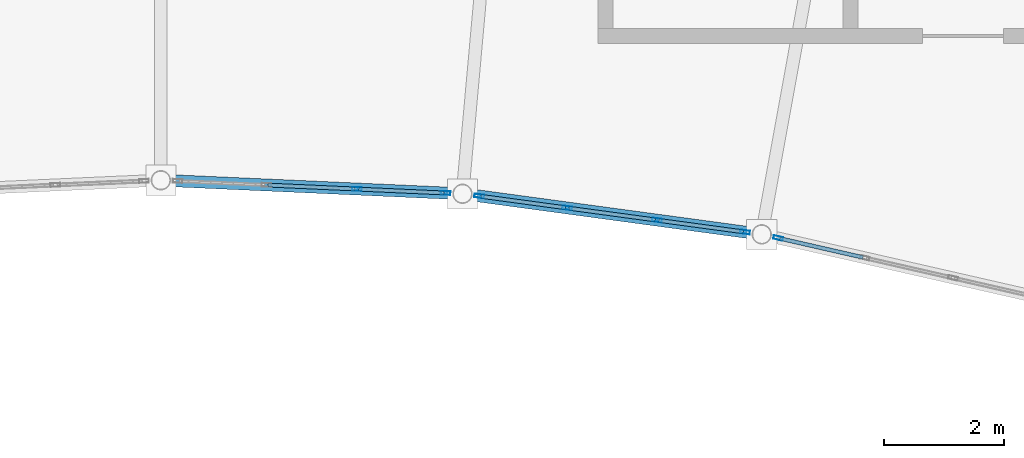
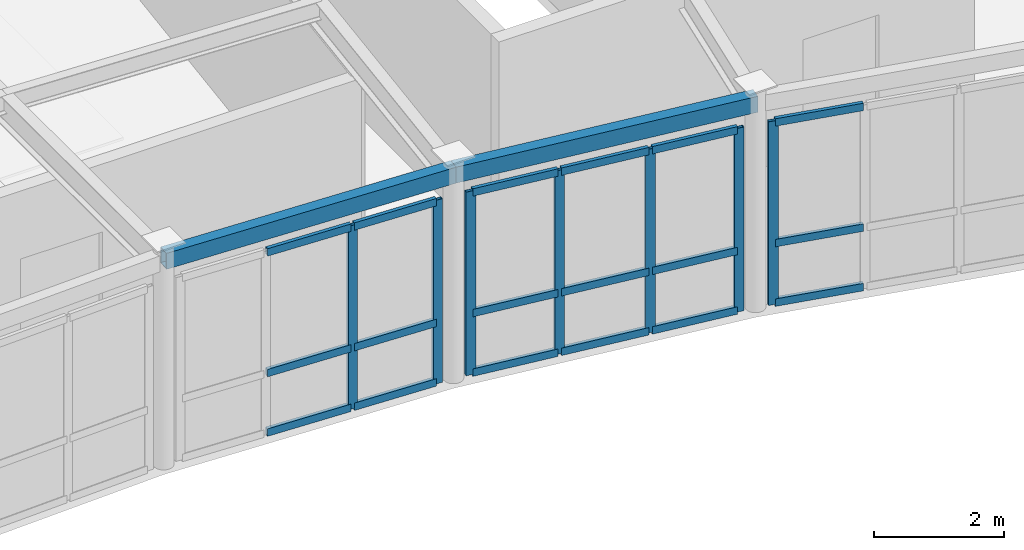
# One storey, part 24 of 54: 25 members, 2 beams, 3 elements without a shape of their own.
"""IFC4 building model written with IfcOpenShell, lengths in metres."""

import ifcopenshell
import ifcopenshell.guid

model = None  # the IFC model being written
_history = None  # IfcOwnerHistory: only IFC2X3 demands one
_inside = {}  # id of a spatial element -> (the spatial element, [elements in it])
_under = {}  # id of a project, library or spatial element -> (it, [spatial elements below it])
_declared = {}  # id of a project -> (the project, [libraries it declares])
_typed = {}  # id of a type object -> (the type object, [elements of that type])
_made_of = {}  # id of a material, layer set ... -> (it, [elements and type objects made of it])


def new_model(schema):
    """Start an empty IFC model of exactly this schema.

    Asked for "IFC4X3", IfcOpenShell would pick the latest addendum, in which some entities
    have other attributes; the version numbers below select the first issue.
    IFC2X3 requires an IfcOwnerHistory on every rooted entity: one is made here for all.
    """
    global model, _history
    if schema == "IFC4X3":
        model = ifcopenshell.file(schema_version=(4, 3, 0, 0))
    else:
        model = ifcopenshell.file(schema=schema)
    _inside.clear()
    _under.clear()
    _declared.clear()
    _typed.clear()
    _made_of.clear()
    _history = None
    if model.schema == "IFC2X3":
        org = make("IfcOrganization", Name="unknown")
        user = make(
            "IfcPersonAndOrganization",
            ThePerson=make("IfcPerson", FamilyName="unknown"),
            TheOrganization=org,
        )
        app = make(
            "IfcApplication",
            ApplicationDeveloper=org,
            Version="unknown",
            ApplicationFullName="unknown",
            ApplicationIdentifier="unknown",
        )
        _history = make(
            "IfcOwnerHistory",
            OwningUser=user,
            OwningApplication=app,
            ChangeAction="ADDED",
            CreationDate=0,
        )
    return model


def make(cls, **values):
    """One entity of the class cls with the attributes given. An attribute that is None is left unset."""
    return model.create_entity(
        cls, **{name: value for name, value in values.items() if value is not None}
    )


def rooted(cls, **values):
    """An entity with a GlobalId (a new one), such as an element, a storey or a relation."""
    return make(cls, GlobalId=ifcopenshell.guid.new(), OwnerHistory=_history, **values)


def si_unit(unit_type, name, prefix=None):
    """IfcSIUnit, for example si_unit("LENGTHUNIT", "METRE", prefix="MILLI")."""
    return make("IfcSIUnit", UnitType=unit_type, Prefix=prefix, Name=name)


def assignment(units):
    """IfcUnitAssignment: the units of a project."""
    return None if units is None else make("IfcUnitAssignment", Units=units)


def point(xyz):
    """IfcCartesianPoint."""
    return None if xyz is None else make("IfcCartesianPoint", Coordinates=xyz)


def direction(xyz):
    """IfcDirection."""
    return None if xyz is None else make("IfcDirection", DirectionRatios=xyz)


def frame(location, z_axis=None, x_axis=None):
    """IfcAxis2Placement3D, a coordinate frame: its origin and axes. An axis left out is left unset."""
    return make(
        "IfcAxis2Placement3D",
        Location=point(location),
        Axis=direction(z_axis),
        RefDirection=direction(x_axis),
    )


def frame_2d(location, x_axis=None):
    """IfcAxis2Placement2D, a coordinate frame in the plane: its origin and x axis."""
    return make(
        "IfcAxis2Placement2D", Location=point(location), RefDirection=direction(x_axis)
    )


def origin():
    """The frame at (0, 0, 0) with its axes left unset."""
    return frame((0.0, 0.0, 0.0))


def origin_2d():
    """The frame at (0, 0) in the plane with its x axis left unset."""
    return frame_2d((0.0, 0.0))


def place(relative_to, where):
    """IfcLocalPlacement: puts the frame where relative to a parent placement (None: the world)."""
    return make(
        "IfcLocalPlacement", PlacementRelTo=relative_to, RelativePlacement=where
    )


def context(
    kind, dimensions, precision=None, world=None, true_north=None, identifier=None
):
    """IfcGeometricRepresentationContext, for example the 3D "Model" context."""
    return make(
        "IfcGeometricRepresentationContext",
        ContextIdentifier=identifier,
        ContextType=kind,
        CoordinateSpaceDimension=dimensions,
        Precision=precision,
        WorldCoordinateSystem=world,
        TrueNorth=true_north,
    )


def subcontext(parent, identifier, kind, view, scale=None):
    """IfcGeometricRepresentationSubContext, for example "Body" below "Model"."""
    return make(
        "IfcGeometricRepresentationSubContext",
        ContextIdentifier=identifier,
        ContextType=kind,
        ParentContext=parent,
        TargetScale=scale,
        TargetView=view,
    )


def project(units=None, contexts=None):
    """IfcProject with its units and contexts."""
    return rooted(
        "IfcProject",
        Name="project",
        RepresentationContexts=contexts,
        UnitsInContext=assignment(units),
    )


def spatial(cls, under=None, at=None, **own):
    """A site, building, storey or space (cls), placed at a placement, below another one or the project."""
    s = rooted(cls, ObjectPlacement=at, **own)
    if under is not None:
        _under.setdefault(under.id(), (under, []))[1].append(s)
    return s


def profile(cls, at=None, kind="AREA", **sizes):
    """A parametric profile (cls). Its sizes go by their IFC names, for example OverallWidth=200.0."""
    return make(cls, ProfileType=kind, Position=at, **sizes)


def hollow_rectangle(**sizes):
    """IfcRectangleHollowProfileDef."""
    return profile("IfcRectangleHollowProfileDef", **sizes)


def extrude(swept, where, along, depth):
    """IfcExtrudedAreaSolid: the profile swept, set in the frame where, extruded along a direction by depth."""
    return make(
        "IfcExtrudedAreaSolid",
        SweptArea=swept,
        Position=where,
        ExtrudedDirection=direction(along),
        Depth=depth,
    )


def shape(context_of_items, identifier, shape_type, items):
    """IfcShapeRepresentation: the items that make up one representation, for example the "Body"."""
    return make(
        "IfcShapeRepresentation",
        ContextOfItems=context_of_items,
        RepresentationIdentifier=identifier,
        RepresentationType=shape_type,
        Items=items,
    )


def material(Name=None, Category=None):
    """IfcMaterial."""
    return make("IfcMaterial", Name=Name, Category=Category)


def layer(
    of_material, thickness, ventilated=None, Name=None, Category=None, Priority=None
):
    """IfcMaterialLayer: one layer of a wall or slab, of a material (None: an air gap)."""
    return make(
        "IfcMaterialLayer",
        Material=of_material,
        LayerThickness=thickness,
        IsVentilated=ventilated,
        Name=Name,
        Category=Category,
        Priority=Priority,
    )


def layer_set(layers, Name=None):
    """IfcMaterialLayerSet."""
    return make("IfcMaterialLayerSet", MaterialLayers=layers, LayerSetName=Name)


def material_profile(
    of_material, cross_section, Name=None, Category=None, Priority=None
):
    """IfcMaterialProfile: a cross section and its material."""
    return make(
        "IfcMaterialProfile",
        Name=Name,
        Material=of_material,
        Profile=cross_section,
        Priority=Priority,
        Category=Category,
    )


def profile_set(profiles, Name=None, composite=None):
    """IfcMaterialProfileSet."""
    return make(
        "IfcMaterialProfileSet",
        Name=Name,
        MaterialProfiles=profiles,
        CompositeProfile=composite,
    )


def made_of(thing, what):
    """Note that an element or type object is made of a material, layer set ...; save() writes the relation."""
    if what is not None:
        _made_of.setdefault(what.id(), (what, []))[1].append(thing)
    return thing


def type_object(cls, material=None, **own):
    """A type object (cls), such as IfcWallType, which elements share."""
    return made_of(rooted(cls, **own), material)


def element(
    cls,
    number,
    at=None,
    inside=None,
    cuts=None,
    type_object=None,
    material=None,
    context=None,
    identifier="Body",
    shape_type=None,
    held_by="IfcProductDefinitionShape",
    body=None,
    shapes=None,
    **own,
):
    """One element of the class cls, such as IfcWall. Its Tag is "e" and its number.

    at: its placement. inside: the storey or other place that contains it. cuts: it is an
    opening in that element (IfcRelVoidsElement). A single representation is given by context,
    identifier, shape_type and body (its items); several are given by shapes. held_by: the class
    of the entity that holds the representations. save() writes the other relations.
    """
    e = rooted(cls, Tag="e%d" % number, ObjectPlacement=at, **own)
    if body is not None:
        shapes = [shape(context, identifier, shape_type, body)]
    if shapes is not None:
        e.Representation = make(held_by, Representations=shapes)
    if inside is not None:
        _inside.setdefault(inside.id(), (inside, []))[1].append(e)
    if cuts is not None:
        rooted(
            "IfcRelVoidsElement", RelatingBuildingElement=cuts, RelatedOpeningElement=e
        )
    if type_object is not None:
        _typed.setdefault(type_object.id(), (type_object, []))[1].append(e)
    return made_of(e, material)


def aggregate(whole, parts):
    """IfcRelAggregates: a whole, such as a stair, and the parts it consists of."""
    return rooted("IfcRelAggregates", RelatingObject=whole, RelatedObjects=parts)


def save(model, path):
    """Write the relations noted so far, then the file.

    IfcRelAggregates (storeys below a building ...), IfcRelContainedInSpatialStructure (elements
    in a storey), IfcRelDefinesByType, IfcRelAssociatesMaterial and IfcRelDeclares: one each for
    every whole, place, type object, material and project.
    """
    for whole, parts in _under.values():
        aggregate(whole, parts)
    for where, things in _inside.values():
        rooted(
            "IfcRelContainedInSpatialStructure",
            RelatedElements=things,
            RelatingStructure=where,
        )
    for kind, things in _typed.values():
        rooted("IfcRelDefinesByType", RelatedObjects=things, RelatingType=kind)
    for what, things in _made_of.values():
        rooted("IfcRelAssociatesMaterial", RelatedObjects=things, RelatingMaterial=what)
    for by, libraries in _declared.values():
        rooted("IfcRelDeclares", RelatingContext=by, RelatedDefinitions=libraries)
    model.write(path)


model = new_model("IFC4")

# Units and contexts
model_context = context("Model", 3, precision=1e-05, world=origin(), true_north=direction((0.0, 1.0)))
body_context = subcontext(model_context, "Body", "Model", "MODEL_VIEW")
ifc_project = project(units=[si_unit("LENGTHUNIT", "METRE"), si_unit("AREAUNIT", "SQUARE_METRE"), si_unit("VOLUMEUNIT", "CUBIC_METRE"), si_unit("PLANEANGLEUNIT", "RADIAN"), si_unit("MASSUNIT", "GRAM", prefix="KILO")], contexts=[model_context])

# Site, building, storey
site_placement = place(None, origin())
site = spatial("IfcSite", under=ifc_project, at=site_placement, CompositionType="ELEMENT")
building_placement = place(site_placement, origin())
building = spatial("IfcBuilding", under=site, at=building_placement, Name="Selat Folded Stagehouse", CompositionType="ELEMENT")
storey_placement = place(building_placement, frame((0.0, 0.0, 15.0)))
storey = spatial("IfcBuildingStorey", under=building, at=storey_placement, Name="L03", CompositionType="ELEMENT", Elevation=15.0)

# Curtain wall, members
ifc_material_1 = material(Name="Aluminium 6063-T6", Category="aluminium")
ifc_layer = layer(ifc_material_1, 0.18994140625)
ifc_layer_set = layer_set([ifc_layer], Name="Aluminium 6063-T6")
curtain_wall_type = type_object("IfcCurtainWallType", Name="CW-REH-ARC", PredefinedType="NOTDEFINED", material=ifc_layer_set)
curtain_wall_1_placement = place(storey_placement, origin())
curtain_wall_1 = element("IfcCurtainWall", 1, at=curtain_wall_1_placement, inside=storey, type_object=curtain_wall_type, Name="L03 curtain wall CW-REH-L03-07", PredefinedType="NOTDEFINED")
ifc_material_profile_1 = material_profile(ifc_material_1, hollow_rectangle(XDim=0.06005859375, YDim=0.159912109375, WallThickness=0.00390625, at=origin_2d()), Name="ALU 160x60x4.0")
ifc_profile_set_1 = profile_set([ifc_material_profile_1], Name="Aluminium 6063-T6")
member_type_1 = type_object("IfcMemberType", Name="CWM-MUL-160x60", PredefinedType="MULLION", material=ifc_profile_set_1)
member_1_placement = place(storey_placement, frame((97.14013671875, 93.787109375, 0.0), z_axis=(0.0, 0.0, 1.0), x_axis=(-0.044862316478, -0.998993179436, 0.0)))
member_1 = element("IfcMember", 2, at=member_1_placement, type_object=member_type_1, Name="CW-06 mullion 1", PredefinedType="MULLION", context=body_context, shape_type="SweptSolid", body=[
    extrude(hollow_rectangle(XDim=0.06005859375, YDim=0.159912109375, WallThickness=0.00390625, at=origin_2d()), origin(), (0.0, 0.0, 1.0), 3.449951171875),
])
member_2_placement = place(storey_placement, frame((95.663330078125, 93.853515625, 0.0), z_axis=(0.0, 0.0, 1.0), x_axis=(-0.044862316478, -0.998993179436, 0.0)))
member_2 = element("IfcMember", 3, at=member_2_placement, type_object=member_type_1, Name="CW-06 mullion 2", PredefinedType="MULLION", context=body_context, shape_type="SweptSolid", body=[
    extrude(hollow_rectangle(XDim=0.06005859375, YDim=0.159912109375, WallThickness=0.00390625, at=origin_2d()), origin(), (0.0, 0.0, 1.0), 3.449951171875),
])

curtain_wall_2_placement = place(storey_placement, origin())
curtain_wall_2 = element("IfcCurtainWall", 4, at=curtain_wall_2_placement, inside=storey, type_object=curtain_wall_type, Name="L03 curtain wall CW-REH-L03-08", PredefinedType="NOTDEFINED")
member_3_placement = place(storey_placement, frame((102.121826171875, 93.1376953125, 0.0), z_axis=(0.0, 0.0, 1.0), x_axis=(-0.134211766018, -0.990952673876, 0.0)))
member_3 = element("IfcMember", 5, at=member_3_placement, type_object=member_type_1, Name="CW-06 mullion 1", PredefinedType="MULLION", context=body_context, shape_type="SweptSolid", body=[
    extrude(hollow_rectangle(XDim=0.06005859375, YDim=0.159912109375, WallThickness=0.00390625, at=origin_2d()), origin(), (0.0, 0.0, 1.0), 3.449951171875),
])
member_4_placement = place(storey_placement, frame((100.65673828125, 93.336181640625, 0.0), z_axis=(0.0, 0.0, 1.0), x_axis=(-0.134211766018, -0.990952673876, 0.0)))
member_4 = element("IfcMember", 6, at=member_4_placement, type_object=member_type_1, Name="CW-06 mullion 2", PredefinedType="MULLION", context=body_context, shape_type="SweptSolid", body=[
    extrude(hollow_rectangle(XDim=0.06005859375, YDim=0.159912109375, WallThickness=0.00390625, at=origin_2d()), origin(), (0.0, 0.0, 1.0), 3.449951171875),
])
member_5_placement = place(storey_placement, frame((99.162109375, 93.53857421875, 0.0), z_axis=(0.0, 0.0, 1.0), x_axis=(-0.134211766018, -0.990952673876, 0.0)))
member_5 = element("IfcMember", 7, at=member_5_placement, type_object=member_type_1, Name="CW-06 mullion 3", PredefinedType="MULLION", context=body_context, shape_type="SweptSolid", body=[
    extrude(hollow_rectangle(XDim=0.06005859375, YDim=0.159912109375, WallThickness=0.00390625, at=origin_2d()), origin(), (0.0, 0.0, 1.0), 3.449951171875),
])
member_6_placement = place(storey_placement, frame((97.697265625, 93.737060546875, 0.0), z_axis=(0.0, 0.0, 1.0), x_axis=(-0.134211766018, -0.990952673876, 0.0)))
member_6 = element("IfcMember", 8, at=member_6_placement, type_object=member_type_1, Name="CW-06 mullion 4", PredefinedType="MULLION", context=body_context, shape_type="SweptSolid", body=[
    extrude(hollow_rectangle(XDim=0.06005859375, YDim=0.159912109375, WallThickness=0.00390625, at=origin_2d()), origin(), (0.0, 0.0, 1.0), 3.449951171875),
])

# Curtain wall, member
curtain_wall_3_placement = place(storey_placement, origin())
curtain_wall_3 = element("IfcCurtainWall", 9, at=curtain_wall_3_placement, inside=storey, type_object=curtain_wall_type, Name="L03 curtain wall CW-REH-L03-09", PredefinedType="NOTDEFINED")
member_7_placement = place(storey_placement, frame((102.672119140625, 93.037841796875, 0.0), z_axis=(0.0, 0.0, 1.0), x_axis=(-0.222542761079, -0.974922930026, 0.0)))
member_7 = element("IfcMember", 10, at=member_7_placement, type_object=member_type_1, Name="CW-06 mullion 4", PredefinedType="MULLION", context=body_context, shape_type="SweptSolid", body=[
    extrude(hollow_rectangle(XDim=0.06005859375, YDim=0.159912109375, WallThickness=0.00390625, at=origin_2d()), origin(), (0.0, 0.0, 1.0), 3.449951171875),
])

# Member
ifc_material_profile_2 = material_profile(ifc_material_1, hollow_rectangle(XDim=0.06494140625, YDim=0.139892578125, WallThickness=0.00390625, at=origin_2d()), Name="ALU 140x65x4.0")
ifc_profile_set_2 = profile_set([ifc_material_profile_2], Name="Aluminium 6063-T6")
member_type_2 = type_object("IfcMemberType", Name="CWM-TRN-140x65", PredefinedType="USERDEFINED", material=ifc_profile_set_2)
member_8_placement = place(storey_placement, frame((97.110107421875, 93.78857421875, 0.032470703125), z_axis=(-0.998997791005, 0.044759508127, 0.0), x_axis=(-0.044759508127, -0.998997791005, 0.0)))
member_8 = element("IfcMember", 11, at=member_8_placement, type_object=member_type_2, Name="CW-06 transom 1.1", ObjectType="TRANSOM", PredefinedType="USERDEFINED", context=body_context, shape_type="SweptSolid", body=[
    extrude(hollow_rectangle(XDim=0.06494140625, YDim=0.139892578125, WallThickness=0.00390625, at=origin_2d()), origin(), (0.0, 0.0, 1.0), 1.418212890625),
])

member_9_placement = place(storey_placement, frame((97.110107421875, 93.78857421875, 1.14990234375), z_axis=(-0.998997791005, 0.044759508127, 0.0), x_axis=(-0.044759508127, -0.998997791005, 0.0)))
member_9 = element("IfcMember", 12, at=member_9_placement, type_object=member_type_2, Name="CW-06 transom 1.2", ObjectType="TRANSOM", PredefinedType="USERDEFINED", context=body_context, shape_type="SweptSolid", body=[
    extrude(hollow_rectangle(XDim=0.06494140625, YDim=0.139892578125, WallThickness=0.00390625, at=origin_2d()), origin(), (0.0, 0.0, 1.0), 1.418212890625),
])

member_10_placement = place(storey_placement, frame((97.110107421875, 93.78857421875, 3.41748046875), z_axis=(-0.998997791005, 0.044759508127, 0.0), x_axis=(-0.044759508127, -0.998997791005, 0.0)))
member_10 = element("IfcMember", 13, at=member_10_placement, type_object=member_type_2, Name="CW-06 transom 1.3", ObjectType="TRANSOM", PredefinedType="USERDEFINED", context=body_context, shape_type="SweptSolid", body=[
    extrude(hollow_rectangle(XDim=0.06494140625, YDim=0.139892578125, WallThickness=0.00390625, at=origin_2d()), origin(), (0.0, 0.0, 1.0), 1.418212890625),
])

member_11_placement = place(storey_placement, frame((95.63330078125, 93.854736328125, 0.032470703125), z_axis=(-0.998994101144, 0.044841787193, 0.0), x_axis=(-0.044841787193, -0.998994101144, 0.0)))
member_11 = element("IfcMember", 14, at=member_11_placement, type_object=member_type_2, Name="CW-06 transom 2.1", ObjectType="TRANSOM", PredefinedType="USERDEFINED", context=body_context, shape_type="SweptSolid", body=[
    extrude(hollow_rectangle(XDim=0.06494140625, YDim=0.139892578125, WallThickness=0.00390625, at=origin_2d()), origin(), (0.0, 0.0, 1.0), 1.4482421875),
])

member_12_placement = place(storey_placement, frame((95.63330078125, 93.854736328125, 1.14990234375), z_axis=(-0.998994101144, 0.044841787193, 0.0), x_axis=(-0.044841787193, -0.998994101144, 0.0)))
member_12 = element("IfcMember", 15, at=member_12_placement, type_object=member_type_2, Name="CW-06 transom 2.2", ObjectType="TRANSOM", PredefinedType="USERDEFINED", context=body_context, shape_type="SweptSolid", body=[
    extrude(hollow_rectangle(XDim=0.06494140625, YDim=0.139892578125, WallThickness=0.00390625, at=origin_2d()), origin(), (0.0, 0.0, 1.0), 1.4482421875),
])

member_13_placement = place(storey_placement, frame((95.63330078125, 93.854736328125, 3.41748046875), z_axis=(-0.998994101144, 0.044841787193, 0.0), x_axis=(-0.044841787193, -0.998994101144, 0.0)))
member_13 = element("IfcMember", 16, at=member_13_placement, type_object=member_type_2, Name="CW-06 transom 2.3", ObjectType="TRANSOM", PredefinedType="USERDEFINED", context=body_context, shape_type="SweptSolid", body=[
    extrude(hollow_rectangle(XDim=0.06494140625, YDim=0.139892578125, WallThickness=0.00390625, at=origin_2d()), origin(), (0.0, 0.0, 1.0), 1.4482421875),
])

aggregate(curtain_wall_1, [member_1, member_2, member_8, member_9, member_10, member_11, member_12, member_13])

member_14_placement = place(storey_placement, frame((102.092041015625, 93.141845703125, 0.032470703125), z_axis=(-0.990968953763, 0.134091508595, 0.0), x_axis=(-0.134091508595, -0.990968953763, 0.0)))
member_14 = element("IfcMember", 17, at=member_14_placement, type_object=member_type_2, Name="CW-06 transom 1.1", ObjectType="TRANSOM", PredefinedType="USERDEFINED", context=body_context, shape_type="SweptSolid", body=[
    extrude(hollow_rectangle(XDim=0.06494140625, YDim=0.139892578125, WallThickness=0.00390625, at=origin_2d()), origin(), (0.0, 0.0, 1.0), 1.418212890625),
])

member_15_placement = place(storey_placement, frame((102.092041015625, 93.141845703125, 1.14990234375), z_axis=(-0.990968953763, 0.134091508595, 0.0), x_axis=(-0.134091508595, -0.990968953763, 0.0)))
member_15 = element("IfcMember", 18, at=member_15_placement, type_object=member_type_2, Name="CW-06 transom 1.2", ObjectType="TRANSOM", PredefinedType="USERDEFINED", context=body_context, shape_type="SweptSolid", body=[
    extrude(hollow_rectangle(XDim=0.06494140625, YDim=0.139892578125, WallThickness=0.00390625, at=origin_2d()), origin(), (0.0, 0.0, 1.0), 1.418212890625),
])

member_16_placement = place(storey_placement, frame((102.092041015625, 93.141845703125, 3.41748046875), z_axis=(-0.990968953763, 0.134091508595, 0.0), x_axis=(-0.134091508595, -0.990968953763, 0.0)))
member_16 = element("IfcMember", 19, at=member_16_placement, type_object=member_type_2, Name="CW-06 transom 1.3", ObjectType="TRANSOM", PredefinedType="USERDEFINED", context=body_context, shape_type="SweptSolid", body=[
    extrude(hollow_rectangle(XDim=0.06494140625, YDim=0.139892578125, WallThickness=0.00390625, at=origin_2d()), origin(), (0.0, 0.0, 1.0), 1.418212890625),
])

member_17_placement = place(storey_placement, frame((100.627197265625, 93.340087890625, 0.032470703125), z_axis=(-0.990957936125, 0.134172906473, 0.0), x_axis=(-0.134172906473, -0.990957936125, 0.0)))
member_17 = element("IfcMember", 20, at=member_17_placement, type_object=member_type_2, Name="CW-06 transom 2.1", ObjectType="TRANSOM", PredefinedType="USERDEFINED", context=body_context, shape_type="SweptSolid", body=[
    extrude(hollow_rectangle(XDim=0.06494140625, YDim=0.139892578125, WallThickness=0.00390625, at=origin_2d()), origin(), (0.0, 0.0, 1.0), 1.448486328125),
])

member_18_placement = place(storey_placement, frame((100.627197265625, 93.340087890625, 1.14990234375), z_axis=(-0.990957936125, 0.134172906473, 0.0), x_axis=(-0.134172906473, -0.990957936125, 0.0)))
member_18 = element("IfcMember", 21, at=member_18_placement, type_object=member_type_2, Name="CW-06 transom 2.2", ObjectType="TRANSOM", PredefinedType="USERDEFINED", context=body_context, shape_type="SweptSolid", body=[
    extrude(hollow_rectangle(XDim=0.06494140625, YDim=0.139892578125, WallThickness=0.00390625, at=origin_2d()), origin(), (0.0, 0.0, 1.0), 1.448486328125),
])

member_19_placement = place(storey_placement, frame((100.627197265625, 93.340087890625, 3.41748046875), z_axis=(-0.990957936125, 0.134172906473, 0.0), x_axis=(-0.134172906473, -0.990957936125, 0.0)))
member_19 = element("IfcMember", 22, at=member_19_placement, type_object=member_type_2, Name="CW-06 transom 2.3", ObjectType="TRANSOM", PredefinedType="USERDEFINED", context=body_context, shape_type="SweptSolid", body=[
    extrude(hollow_rectangle(XDim=0.06494140625, YDim=0.139892578125, WallThickness=0.00390625, at=origin_2d()), origin(), (0.0, 0.0, 1.0), 1.448486328125),
])

member_20_placement = place(storey_placement, frame((99.13232421875, 93.54248046875, 0.032470703125), z_axis=(-0.990942963198, 0.134283445326, 0.0), x_axis=(-0.134283445326, -0.990942963198, 0.0)))
member_20 = element("IfcMember", 23, at=member_20_placement, type_object=member_type_2, Name="CW-06 transom 3.1", ObjectType="TRANSOM", PredefinedType="USERDEFINED", context=body_context, shape_type="SweptSolid", body=[
    extrude(hollow_rectangle(XDim=0.06494140625, YDim=0.139892578125, WallThickness=0.00390625, at=origin_2d()), origin(), (0.0, 0.0, 1.0), 1.418212890625),
])

member_21_placement = place(storey_placement, frame((99.13232421875, 93.54248046875, 1.14990234375), z_axis=(-0.990942963198, 0.134283445326, 0.0), x_axis=(-0.134283445326, -0.990942963198, 0.0)))
member_21 = element("IfcMember", 24, at=member_21_placement, type_object=member_type_2, Name="CW-06 transom 3.2", ObjectType="TRANSOM", PredefinedType="USERDEFINED", context=body_context, shape_type="SweptSolid", body=[
    extrude(hollow_rectangle(XDim=0.06494140625, YDim=0.139892578125, WallThickness=0.00390625, at=origin_2d()), origin(), (0.0, 0.0, 1.0), 1.418212890625),
])

member_22_placement = place(storey_placement, frame((99.13232421875, 93.54248046875, 3.41748046875), z_axis=(-0.990942963198, 0.134283445326, 0.0), x_axis=(-0.134283445326, -0.990942963198, 0.0)))
member_22 = element("IfcMember", 25, at=member_22_placement, type_object=member_type_2, Name="CW-06 transom 3.3", ObjectType="TRANSOM", PredefinedType="USERDEFINED", context=body_context, shape_type="SweptSolid", body=[
    extrude(hollow_rectangle(XDim=0.06494140625, YDim=0.139892578125, WallThickness=0.00390625, at=origin_2d()), origin(), (0.0, 0.0, 1.0), 1.418212890625),
])

aggregate(curtain_wall_2, [member_3, member_4, member_5, member_6, member_14, member_15, member_16, member_17, member_18, member_19, member_20, member_21, member_22])

member_23_placement = place(storey_placement, frame((104.084228515625, 92.715576171875, 0.032470703125), z_axis=(-0.974919361771, 0.222558392438, 0.0), x_axis=(-0.222558392438, -0.974919361771, 0.0)))
member_23 = element("IfcMember", 26, at=member_23_placement, type_object=member_type_2, Name="CW-06 transom 3.1", ObjectType="TRANSOM", PredefinedType="USERDEFINED", context=body_context, shape_type="SweptSolid", body=[
    extrude(hollow_rectangle(XDim=0.06494140625, YDim=0.139892578125, WallThickness=0.00390625, at=origin_2d()), origin(), (0.0, 0.0, 1.0), 1.41845703125),
])

member_24_placement = place(storey_placement, frame((104.084228515625, 92.715576171875, 1.14990234375), z_axis=(-0.974919361771, 0.222558392438, 0.0), x_axis=(-0.222558392438, -0.974919361771, 0.0)))
member_24 = element("IfcMember", 27, at=member_24_placement, type_object=member_type_2, Name="CW-06 transom 3.2", ObjectType="TRANSOM", PredefinedType="USERDEFINED", context=body_context, shape_type="SweptSolid", body=[
    extrude(hollow_rectangle(XDim=0.06494140625, YDim=0.139892578125, WallThickness=0.00390625, at=origin_2d()), origin(), (0.0, 0.0, 1.0), 1.41845703125),
])

member_25_placement = place(storey_placement, frame((104.084228515625, 92.715576171875, 3.41748046875), z_axis=(-0.974919361771, 0.222558392438, 0.0), x_axis=(-0.222558392438, -0.974919361771, 0.0)))
member_25 = element("IfcMember", 28, at=member_25_placement, type_object=member_type_2, Name="CW-06 transom 3.3", ObjectType="TRANSOM", PredefinedType="USERDEFINED", context=body_context, shape_type="SweptSolid", body=[
    extrude(hollow_rectangle(XDim=0.06494140625, YDim=0.139892578125, WallThickness=0.00390625, at=origin_2d()), origin(), (0.0, 0.0, 1.0), 1.41845703125),
])

aggregate(curtain_wall_3, [member_7, member_23, member_24, member_25])

# Beams
ifc_material_2 = material(Name="Steel S355", Category="steel")
ifc_material_profile_3 = material_profile(ifc_material_2, hollow_rectangle(XDim=0.199951171875, YDim=0.300048828125, WallThickness=0.012451171875, at=origin_2d()), Name="RHS 300x200x12.5")
ifc_profile_set_3 = profile_set([ifc_material_profile_3], Name="Steel S355")
beam_type = type_object("IfcBeamType", Name="SPD-RHS-300x200", PredefinedType="SPANDREL", material=ifc_profile_set_3)
beam_1_placement = place(storey_placement, frame((92.39990234375, 94.0, 3.867919921875), z_axis=(0.998994025486, -0.044843472693, 0.0), x_axis=(0.044843472693, 0.998994025486, 0.0)))
element("IfcBeam", 29, at=beam_1_placement, inside=storey, type_object=beam_type, Name="L03 inner curved rehearsal spandrel 8", PredefinedType="SPANDREL", context=body_context, shape_type="SweptSolid", body=[
    extrude(hollow_rectangle(XDim=0.199951171875, YDim=0.300048828125, WallThickness=0.012451171875, at=origin_2d()), origin(), (0.0, 0.0, 1.0), 5.025146484375),
])
beam_2_placement = place(storey_placement, frame((97.419921875, 93.774658203125, 3.867919921875), z_axis=(0.9909477611, -0.134248034514, 0.0), x_axis=(0.134248034514, 0.9909477611, 0.0)))
element("IfcBeam", 30, at=beam_2_placement, inside=storey, type_object=beam_type, Name="L03 inner curved rehearsal spandrel 9", PredefinedType="SPANDREL", context=body_context, shape_type="SweptSolid", body=[
    extrude(hollow_rectangle(XDim=0.199951171875, YDim=0.300048828125, WallThickness=0.012451171875, at=origin_2d()), origin(), (0.0, 0.0, 1.0), 5.024658203125),
])

save(model, "model.ifc")
